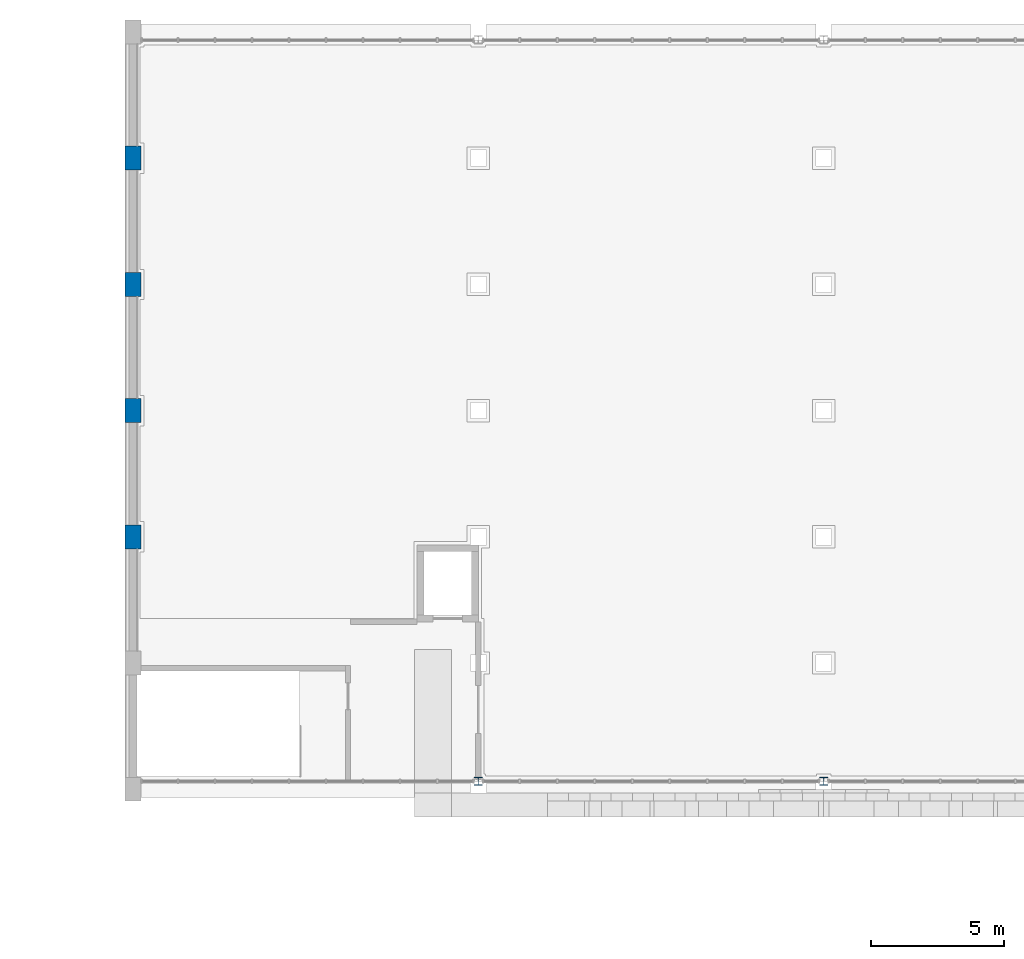
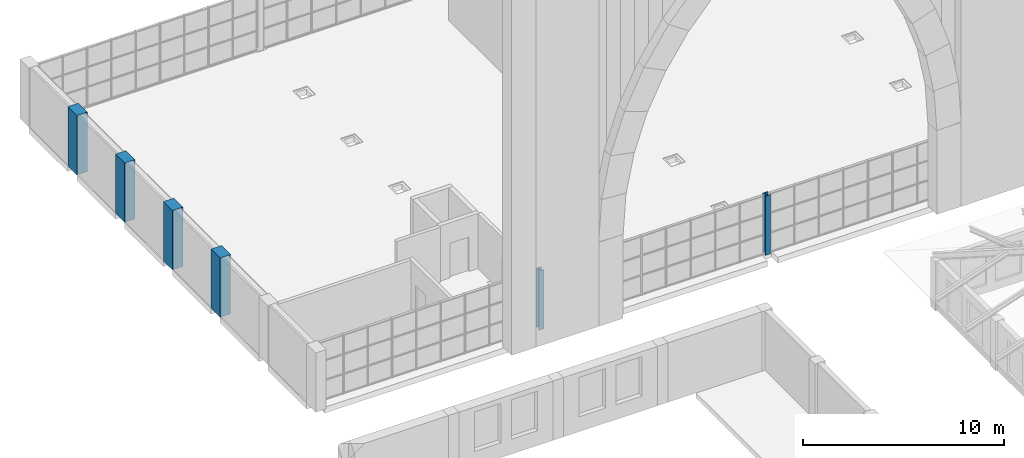
# One storey, part 2 of 82: 6 columns.
"""IFC4 building model written with IfcOpenShell, lengths in metres."""

import ifcopenshell
import ifcopenshell.guid

model = None  # the IFC model being written
_history = None  # IfcOwnerHistory: only IFC2X3 demands one
_inside = {}  # id of a spatial element -> (the spatial element, [elements in it])
_under = {}  # id of a project, library or spatial element -> (it, [spatial elements below it])
_declared = {}  # id of a project -> (the project, [libraries it declares])
_typed = {}  # id of a type object -> (the type object, [elements of that type])
_made_of = {}  # id of a material, layer set ... -> (it, [elements and type objects made of it])


def new_model(schema):
    """Start an empty IFC model of exactly this schema.

    Asked for "IFC4X3", IfcOpenShell would pick the latest addendum, in which some entities
    have other attributes; the version numbers below select the first issue.
    IFC2X3 requires an IfcOwnerHistory on every rooted entity: one is made here for all.
    """
    global model, _history
    if schema == "IFC4X3":
        model = ifcopenshell.file(schema_version=(4, 3, 0, 0))
    else:
        model = ifcopenshell.file(schema=schema)
    _inside.clear()
    _under.clear()
    _declared.clear()
    _typed.clear()
    _made_of.clear()
    _history = None
    if model.schema == "IFC2X3":
        org = make("IfcOrganization", Name="unknown")
        user = make(
            "IfcPersonAndOrganization",
            ThePerson=make("IfcPerson", FamilyName="unknown"),
            TheOrganization=org,
        )
        app = make(
            "IfcApplication",
            ApplicationDeveloper=org,
            Version="unknown",
            ApplicationFullName="unknown",
            ApplicationIdentifier="unknown",
        )
        _history = make(
            "IfcOwnerHistory",
            OwningUser=user,
            OwningApplication=app,
            ChangeAction="ADDED",
            CreationDate=0,
        )
    return model


def make(cls, **values):
    """One entity of the class cls with the attributes given. An attribute that is None is left unset."""
    return model.create_entity(
        cls, **{name: value for name, value in values.items() if value is not None}
    )


def rooted(cls, **values):
    """An entity with a GlobalId (a new one), such as an element, a storey or a relation."""
    return make(cls, GlobalId=ifcopenshell.guid.new(), OwnerHistory=_history, **values)


def si_unit(unit_type, name, prefix=None):
    """IfcSIUnit, for example si_unit("LENGTHUNIT", "METRE", prefix="MILLI")."""
    return make("IfcSIUnit", UnitType=unit_type, Prefix=prefix, Name=name)


def assignment(units):
    """IfcUnitAssignment: the units of a project."""
    return None if units is None else make("IfcUnitAssignment", Units=units)


def point(xyz):
    """IfcCartesianPoint."""
    return None if xyz is None else make("IfcCartesianPoint", Coordinates=xyz)


def direction(xyz):
    """IfcDirection."""
    return None if xyz is None else make("IfcDirection", DirectionRatios=xyz)


def frame(location, z_axis=None, x_axis=None):
    """IfcAxis2Placement3D, a coordinate frame: its origin and axes. An axis left out is left unset."""
    return make(
        "IfcAxis2Placement3D",
        Location=point(location),
        Axis=direction(z_axis),
        RefDirection=direction(x_axis),
    )


def frame_2d(location, x_axis=None):
    """IfcAxis2Placement2D, a coordinate frame in the plane: its origin and x axis."""
    return make(
        "IfcAxis2Placement2D", Location=point(location), RefDirection=direction(x_axis)
    )


def origin():
    """The frame at (0, 0, 0) with its axes left unset."""
    return frame((0.0, 0.0, 0.0))


def origin_2d():
    """The frame at (0, 0) in the plane with its x axis left unset."""
    return frame_2d((0.0, 0.0))


def place(relative_to, where):
    """IfcLocalPlacement: puts the frame where relative to a parent placement (None: the world)."""
    return make(
        "IfcLocalPlacement", PlacementRelTo=relative_to, RelativePlacement=where
    )


def context(
    kind, dimensions, precision=None, world=None, true_north=None, identifier=None
):
    """IfcGeometricRepresentationContext, for example the 3D "Model" context."""
    return make(
        "IfcGeometricRepresentationContext",
        ContextIdentifier=identifier,
        ContextType=kind,
        CoordinateSpaceDimension=dimensions,
        Precision=precision,
        WorldCoordinateSystem=world,
        TrueNorth=true_north,
    )


def subcontext(parent, identifier, kind, view, scale=None):
    """IfcGeometricRepresentationSubContext, for example "Body" below "Model"."""
    return make(
        "IfcGeometricRepresentationSubContext",
        ContextIdentifier=identifier,
        ContextType=kind,
        ParentContext=parent,
        TargetScale=scale,
        TargetView=view,
    )


def project(units=None, contexts=None):
    """IfcProject with its units and contexts."""
    return rooted(
        "IfcProject",
        Name="project",
        RepresentationContexts=contexts,
        UnitsInContext=assignment(units),
    )


def spatial(cls, under=None, at=None, **own):
    """A site, building, storey or space (cls), placed at a placement, below another one or the project."""
    s = rooted(cls, ObjectPlacement=at, **own)
    if under is not None:
        _under.setdefault(under.id(), (under, []))[1].append(s)
    return s


def profile(cls, at=None, kind="AREA", **sizes):
    """A parametric profile (cls). Its sizes go by their IFC names, for example OverallWidth=200.0."""
    return make(cls, ProfileType=kind, Position=at, **sizes)


def rectangle(**sizes):
    """IfcRectangleProfileDef."""
    return profile("IfcRectangleProfileDef", **sizes)


def i_section(**sizes):
    """IfcIShapeProfileDef."""
    return profile("IfcIShapeProfileDef", **sizes)


def extrude(swept, where, along, depth):
    """IfcExtrudedAreaSolid: the profile swept, set in the frame where, extruded along a direction by depth."""
    return make(
        "IfcExtrudedAreaSolid",
        SweptArea=swept,
        Position=where,
        ExtrudedDirection=direction(along),
        Depth=depth,
    )


def shape(context_of_items, identifier, shape_type, items):
    """IfcShapeRepresentation: the items that make up one representation, for example the "Body"."""
    return make(
        "IfcShapeRepresentation",
        ContextOfItems=context_of_items,
        RepresentationIdentifier=identifier,
        RepresentationType=shape_type,
        Items=items,
    )


def material(Name=None, Category=None):
    """IfcMaterial."""
    return make("IfcMaterial", Name=Name, Category=Category)


def material_profile(
    of_material, cross_section, Name=None, Category=None, Priority=None
):
    """IfcMaterialProfile: a cross section and its material."""
    return make(
        "IfcMaterialProfile",
        Name=Name,
        Material=of_material,
        Profile=cross_section,
        Priority=Priority,
        Category=Category,
    )


def profile_set(profiles, Name=None, composite=None):
    """IfcMaterialProfileSet."""
    return make(
        "IfcMaterialProfileSet",
        Name=Name,
        MaterialProfiles=profiles,
        CompositeProfile=composite,
    )


def made_of(thing, what):
    """Note that an element or type object is made of a material, layer set ...; save() writes the relation."""
    if what is not None:
        _made_of.setdefault(what.id(), (what, []))[1].append(thing)
    return thing


def type_object(cls, material=None, **own):
    """A type object (cls), such as IfcWallType, which elements share."""
    return made_of(rooted(cls, **own), material)


def element(
    cls,
    number,
    at=None,
    inside=None,
    cuts=None,
    type_object=None,
    material=None,
    context=None,
    identifier="Body",
    shape_type=None,
    held_by="IfcProductDefinitionShape",
    body=None,
    shapes=None,
    **own,
):
    """One element of the class cls, such as IfcWall. Its Tag is "e" and its number.

    at: its placement. inside: the storey or other place that contains it. cuts: it is an
    opening in that element (IfcRelVoidsElement). A single representation is given by context,
    identifier, shape_type and body (its items); several are given by shapes. held_by: the class
    of the entity that holds the representations. save() writes the other relations.
    """
    e = rooted(cls, Tag="e%d" % number, ObjectPlacement=at, **own)
    if body is not None:
        shapes = [shape(context, identifier, shape_type, body)]
    if shapes is not None:
        e.Representation = make(held_by, Representations=shapes)
    if inside is not None:
        _inside.setdefault(inside.id(), (inside, []))[1].append(e)
    if cuts is not None:
        rooted(
            "IfcRelVoidsElement", RelatingBuildingElement=cuts, RelatedOpeningElement=e
        )
    if type_object is not None:
        _typed.setdefault(type_object.id(), (type_object, []))[1].append(e)
    return made_of(e, material)


def aggregate(whole, parts):
    """IfcRelAggregates: a whole, such as a stair, and the parts it consists of."""
    return rooted("IfcRelAggregates", RelatingObject=whole, RelatedObjects=parts)


def save(model, path):
    """Write the relations noted so far, then the file.

    IfcRelAggregates (storeys below a building ...), IfcRelContainedInSpatialStructure (elements
    in a storey), IfcRelDefinesByType, IfcRelAssociatesMaterial and IfcRelDeclares: one each for
    every whole, place, type object, material and project.
    """
    for whole, parts in _under.values():
        aggregate(whole, parts)
    for where, things in _inside.values():
        rooted(
            "IfcRelContainedInSpatialStructure",
            RelatedElements=things,
            RelatingStructure=where,
        )
    for kind, things in _typed.values():
        rooted("IfcRelDefinesByType", RelatedObjects=things, RelatingType=kind)
    for what, things in _made_of.values():
        rooted("IfcRelAssociatesMaterial", RelatedObjects=things, RelatingMaterial=what)
    for by, libraries in _declared.values():
        rooted("IfcRelDeclares", RelatingContext=by, RelatedDefinitions=libraries)
    model.write(path)


model = new_model("IFC4")

# Units and contexts
model_context = context("Model", 3, precision=1e-05, world=origin(), true_north=direction((0.0, 1.0)))
body_context = subcontext(model_context, "Body", "Model", "MODEL_VIEW")
ifc_project = project(units=[si_unit("LENGTHUNIT", "METRE"), si_unit("AREAUNIT", "SQUARE_METRE"), si_unit("VOLUMEUNIT", "CUBIC_METRE"), si_unit("PLANEANGLEUNIT", "RADIAN"), si_unit("MASSUNIT", "GRAM", prefix="KILO")], contexts=[model_context])

# Site, building, storey
site_placement = place(None, origin())
site = spatial("IfcSite", under=ifc_project, at=site_placement, CompositionType="ELEMENT")
building_placement = place(site_placement, origin())
building = spatial("IfcBuilding", under=site, at=building_placement, Name="Elbe Cascade School", CompositionType="ELEMENT")
storey_placement = place(building_placement, frame((0.0, 0.0, 4.5)))
storey = spatial("IfcBuildingStorey", under=building, at=storey_placement, Name="L01", CompositionType="ELEMENT", Elevation=4.5)

# Columns
ifc_material_1 = material(Name="Steel S355J2", Category="steel")
ifc_material_profile_1 = material_profile(ifc_material_1, i_section(OverallWidth=0.300048828125, OverallDepth=0.300048828125, WebThickness=0.010986328125, FlangeThickness=0.01904296875, FilletRadius=0.027099609375, at=origin_2d()), Name="HEB 300")
ifc_profile_set_1 = profile_set([ifc_material_profile_1], Name="Steel S355J2")
column_type_1 = type_object("IfcColumnType", Name="Hall gable post HEB 300", PredefinedType="COLUMN", material=ifc_profile_set_1)
for number, where, z_axis, x_axis, name in (
    (1, (21.0, 41.300048828125, 0.0), (0.0, 0.0, 1.0), (1.0, 0.0, 0.0), "Gable post S21"),
    (2, (34.0, 41.300048828125, 0.0), (0.0, 0.0, 1.0), (1.0, 0.0, 0.0), "Gable post S34"),
):
    element("IfcColumn", number, at=place(storey_placement, frame(where, z_axis=z_axis, x_axis=x_axis)), inside=storey, type_object=column_type_1, Name=name, PredefinedType="COLUMN", context=body_context, shape_type="SweptSolid", body=[
        extrude(i_section(OverallWidth=0.300048828125, OverallDepth=0.300048828125, WebThickness=0.010986328125, FlangeThickness=0.01904296875, FilletRadius=0.027099609375, at=origin_2d()), origin(), (0.0, 0.0, 1.0), 3.60009765625),
    ])
ifc_material_2 = material(Name="Concrete C30/37", Category="concrete")
ifc_material_profile_2 = material_profile(ifc_material_2, rectangle(XDim=0.60009765625, YDim=0.89990234375, at=origin_2d()), Name="RC 600x900")
ifc_profile_set_2 = profile_set([ifc_material_profile_2], Name="Concrete C30/37")
column_type_2 = type_object("IfcColumnType", Name="Hall pilaster RC 600x900", PredefinedType="COLUMN", material=ifc_profile_set_2)
for number, where, z_axis, x_axis, name in (
    (3, (8.0, 50.5, 0.0), (0.0, 0.0, 1.0), (1.0, 0.0, 0.0), "Pilaster W3"),
    (4, (8.0, 55.25, 0.0), (0.0, 0.0, 1.0), (1.0, 0.0, 0.0), "Pilaster W4"),
    (5, (8.0, 60.0, 0.0), (0.0, 0.0, 1.0), (1.0, 0.0, 0.0), "Pilaster W5"),
    (6, (8.0, 64.75, 0.0), (0.0, 0.0, 1.0), (1.0, 0.0, 0.0), "Pilaster W6"),
):
    element("IfcColumn", number, at=place(storey_placement, frame(where, z_axis=z_axis, x_axis=x_axis)), inside=storey, type_object=column_type_2, Name=name, PredefinedType="COLUMN", context=body_context, shape_type="SweptSolid", body=[
        extrude(rectangle(XDim=0.60009765625, YDim=0.89990234375, at=origin_2d()), origin(), (0.0, 0.0, 1.0), 3.60009765625),
    ])

save(model, "model.ifc")
